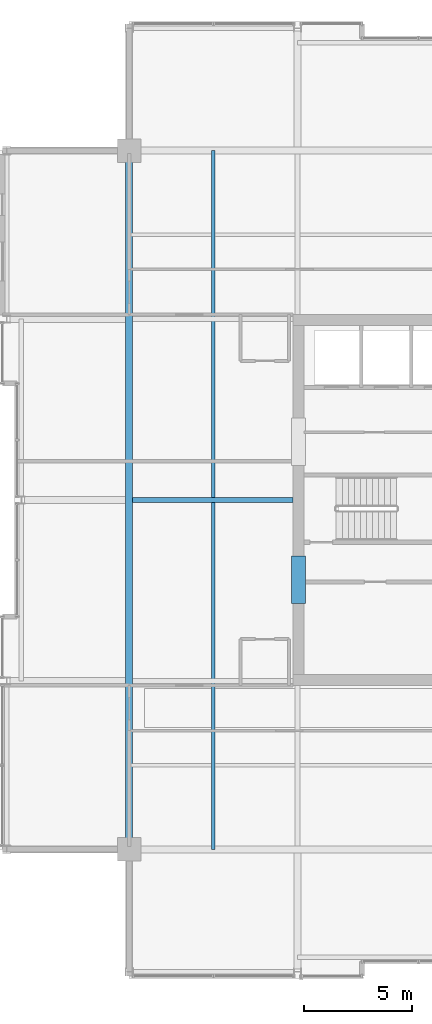
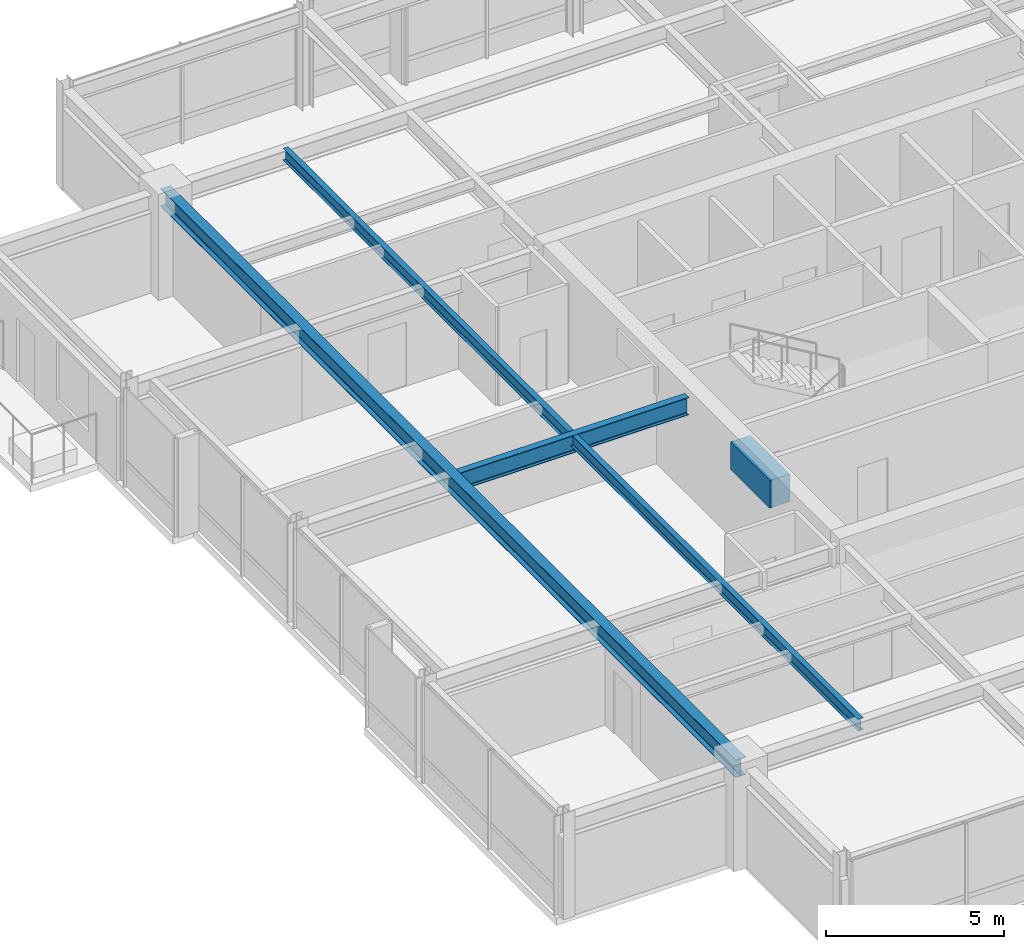
# One storey, part 12 of 33: 4 beams.
"""IFC4 building model written with IfcOpenShell, lengths in metres."""

from ifc_helpers import new_model, si_unit, direction, frame, origin, origin_2d, place, context, subcontext, project, spatial, rectangle, i_section, extrude, material, material_profile, profile_set, type_object, element, save


model = new_model("IFC4")

# Units and contexts
model_context = context("Model", 3, precision=1e-05, world=origin(), true_north=direction((0.0, 1.0)))
body_context = subcontext(model_context, "Body", "Model", "MODEL_VIEW")
ifc_project = project(units=[si_unit("LENGTHUNIT", "METRE"), si_unit("AREAUNIT", "SQUARE_METRE"), si_unit("VOLUMEUNIT", "CUBIC_METRE"), si_unit("PLANEANGLEUNIT", "RADIAN"), si_unit("MASSUNIT", "GRAM", prefix="KILO")], contexts=[model_context])

# Site, building, storey
site_placement = place(None, origin())
site = spatial("IfcSite", under=ifc_project, at=site_placement, CompositionType="ELEMENT")
building_placement = place(site_placement, origin())
building = spatial("IfcBuilding", under=site, at=building_placement, Name="Drelvath Grand Hotel", CompositionType="ELEMENT")
storey_placement = place(building_placement, frame((0.0, 0.0, 283.25)))
storey = spatial("IfcBuildingStorey", under=building, at=storey_placement, Name="L74", CompositionType="ELEMENT", Elevation=283.25)

# Beams
ifc_material_1 = material(Name="Steel ASTM A992 Gr 50", Category="steel")
ifc_material_profile_1 = material_profile(ifc_material_1, i_section(OverallWidth=0.177734375, OverallDepth=0.40673828125, WebThickness=0.0078125, FlangeThickness=0.0126953125, FilletRadius=0.014892578125, at=origin_2d()), Name="W16X40")
ifc_profile_set_1 = profile_set([ifc_material_profile_1], Name="Steel ASTM A992 Gr 50")
beam_type_1 = type_object("IfcBeamType", Name="Composite Floor Joist W16X40", PredefinedType="JOIST", material=ifc_profile_set_1)
beam_1_placement = place(storey_placement, frame((-12.300048828125, 10.800048828125, 3.1865234375), z_axis=(0.0, 1.0, 0.0), x_axis=(-1.0, 0.0, 0.0)))
element("IfcBeam", 1, at=beam_1_placement, inside=storey, type_object=beam_type_1, Name="L74 Wing Floor Joist J3", PredefinedType="JOIST", context=body_context, shape_type="SweptSolid", body=[
    extrude(i_section(OverallWidth=0.177734375, OverallDepth=0.40673828125, WebThickness=0.0078125, FlangeThickness=0.0126953125, FilletRadius=0.014892578125, at=origin_2d()), origin(), (0.0, 0.0, 1.0), 32.39990234375),
])
ifc_material_2 = material(Name="Concrete f'c 55 MPa", Category="concrete")
ifc_material_profile_2 = material_profile(ifc_material_2, rectangle(XDim=0.64990234375, YDim=0.949951171875, at=origin_2d()), Name="CB650X950")
ifc_profile_set_2 = profile_set([ifc_material_profile_2], Name="Concrete f'c 55 MPa")
beam_type_2 = type_object("IfcBeamType", Name="Core Coupling Lintel CB650X950", PredefinedType="LINTEL", material=ifc_profile_set_2)
beam_2_placement = place(storey_placement, frame((-8.35009765625, 22.199951171875, 2.9150390625), z_axis=(0.0, 1.0, 0.0), x_axis=(-1.0, 0.0, 0.0)))
element("IfcBeam", 2, at=beam_2_placement, inside=storey, type_object=beam_type_2, Name="L74 Core Coupling Lintel WS", PredefinedType="LINTEL", context=body_context, shape_type="SweptSolid", body=[
    extrude(rectangle(XDim=0.64990234375, YDim=0.949951171875, at=origin_2d()), origin(), (0.0, 0.0, 1.0), 2.199951171875),
])
ifc_material_profile_3 = material_profile(ifc_material_1, i_section(OverallWidth=0.323974609375, OverallDepth=0.611083984375, WebThickness=0.0126953125, FlangeThickness=0.01904296875, FilletRadius=0.02197265625, at=origin_2d()), Name="W24X104")
ifc_profile_set_3 = profile_set([ifc_material_profile_3], Name="Steel ASTM A992 Gr 50")
beam_type_3 = type_object("IfcBeamType", Name="Primary Floor Girder W24X104", PredefinedType="BEAM", material=ifc_profile_set_3)
beam_3_placement = place(storey_placement, frame((-16.199951171875, 10.800048828125, 3.08447265625), z_axis=(0.0, 1.0, 0.0), x_axis=(-1.0, 0.0, 0.0)))
element("IfcBeam", 3, at=beam_3_placement, inside=storey, type_object=beam_type_3, Name="L74 Mega Ring Girder West", PredefinedType="BEAM", context=body_context, shape_type="SweptSolid", body=[
    extrude(i_section(OverallWidth=0.323974609375, OverallDepth=0.611083984375, WebThickness=0.0126953125, FlangeThickness=0.01904296875, FilletRadius=0.02197265625, at=origin_2d()), origin(), (0.0, 0.0, 1.0), 32.39990234375),
])
ifc_material_profile_4 = material_profile(ifc_material_1, i_section(OverallWidth=0.228271484375, OverallDepth=0.607666015625, WebThickness=0.01123046875, FlangeThickness=0.017333984375, FilletRadius=0.02001953125, at=origin_2d()), Name="W24X76")
ifc_profile_set_4 = profile_set([ifc_material_profile_4], Name="Steel ASTM A992 Gr 50")
beam_type_4 = type_object("IfcBeamType", Name="Primary Floor Girder W24X76", PredefinedType="BEAM", material=ifc_profile_set_4)
beam_4_placement = place(storey_placement, frame((-16.0380859375, 27.0, 3.086181640625), z_axis=(1.0, 0.0, 0.0), x_axis=(0.0, 1.0, 0.0)))
element("IfcBeam", 4, at=beam_4_placement, inside=storey, type_object=beam_type_4, Name="L74 West Core Tie E", PredefinedType="BEAM", context=body_context, shape_type="SweptSolid", body=[
    extrude(i_section(OverallWidth=0.228271484375, OverallDepth=0.607666015625, WebThickness=0.01123046875, FlangeThickness=0.017333984375, FilletRadius=0.02001953125, at=origin_2d()), origin(), (0.0, 0.0, 1.0), 7.43798828125),
])

save(model, "model.ifc")
